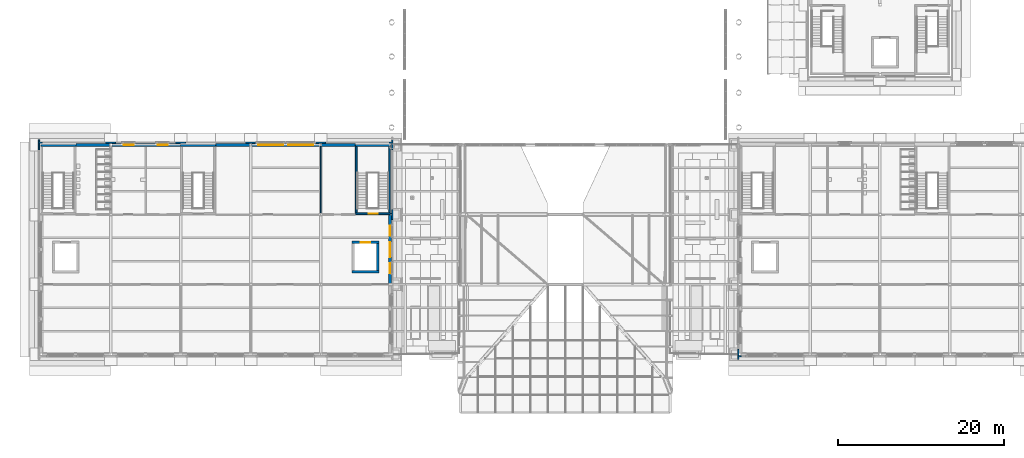
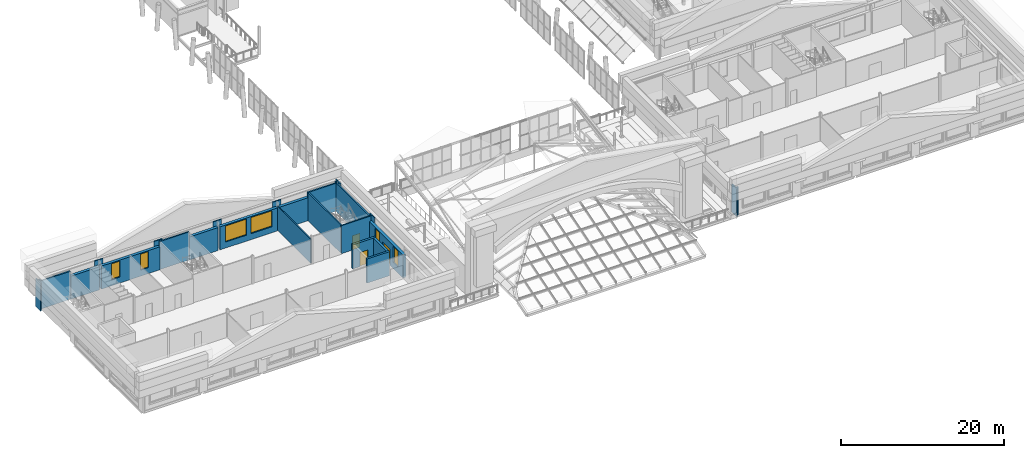
# One storey, part 42 of 76: 27 walls, 6 windows, 3 doors, 9 openings.
"""IFC4 building model written with IfcOpenShell, lengths in metres."""

from ifc_helpers import new_model, si_unit, direction, frame, frame_2d, origin, place, context, subcontext, project, spatial, rectangle, extrude, material, layer, layer_set, type_object, element, fill, save


model = new_model("IFC4")

# Units and contexts
model_context = context("Model", 3, precision=1e-05, world=origin(), true_north=direction((0.0, 1.0)))
body_context = subcontext(model_context, "Body", "Model", "MODEL_VIEW")
ifc_project = project(units=[si_unit("LENGTHUNIT", "METRE"), si_unit("AREAUNIT", "SQUARE_METRE"), si_unit("VOLUMEUNIT", "CUBIC_METRE"), si_unit("PLANEANGLEUNIT", "RADIAN"), si_unit("MASSUNIT", "GRAM", prefix="KILO")], contexts=[model_context])

# Site, building, storey
site_placement = place(None, origin())
site = spatial("IfcSite", under=ifc_project, at=site_placement, CompositionType="ELEMENT")
building_placement = place(site_placement, origin())
building = spatial("IfcBuilding", under=site, at=building_placement, Name="Sava Quay Ferry Terminal", CompositionType="ELEMENT")
storey_placement = place(building_placement, frame((0.0, 0.0, 10.800048828125)))
storey = spatial("IfcBuildingStorey", under=building, at=storey_placement, Name="L02", CompositionType="ELEMENT", Elevation=10.800048828125)

# Walls
ifc_material_1 = material(Name="Limestone Mutalj", Category="masonry")
ifc_layer_1 = layer(ifc_material_1, 0.14990234375)
ifc_layer_set_1 = layer_set([ifc_layer_1], Name="Limestone Mutalj")
wall_type_1 = type_object("IfcWallType", Name="Pier cladding 150", PredefinedType="SOLIDWALL", material=ifc_layer_set_1)
wall_1_placement = place(storey_placement, frame((-0.300048828125, 50.635009765625, 0.0), z_axis=(0.0, 0.0, 1.0), x_axis=(1.0, 0.0, 0.0)))
element("IfcWall", 1, at=wall_1_placement, inside=storey, type_object=wall_type_1, Name="Pier W-N grid 0", PredefinedType="SOLIDWALL", context=body_context, shape_type="SweptSolid", body=[
    extrude(rectangle(XDim=0.449951171875, YDim=0.14990234375, at=frame_2d((0.22509765625, 0.0))), origin(), (0.0, 0.0, 1.0), 4.199951171875),
])
for number, where, z_axis, x_axis, name in (
    (2, (7.800048828125, 50.635009765625, 0.0), (0.0, 0.0, 1.0), (1.0, 0.0, 0.0), "Pier W-N grid 8.4"),
    (3, (16.199951171875, 50.635009765625, 0.0), (0.0, 0.0, 1.0), (1.0, 0.0, 0.0), "Pier W-N grid 16.8"),
    (4, (24.60009765625, 50.635009765625, 0.0), (0.0, 0.0, 1.0), (1.0, 0.0, 0.0), "Pier W-N grid 25.2"),
    (5, (33.0, 50.635009765625, 0.0), (0.0, 0.0, 1.0), (1.0, 0.0, 0.0), "Pier W-N grid 33.6"),
):
    element("IfcWall", number, at=place(storey_placement, frame(where, z_axis=z_axis, x_axis=x_axis)), inside=storey, type_object=wall_type_1, Name=name, PredefinedType="SOLIDWALL", context=body_context, shape_type="SweptSolid", body=[
        extrude(rectangle(XDim=1.199951171875, YDim=0.14990234375, at=frame_2d((0.60009765625, 0.0))), origin(), (0.0, 0.0, 1.0), 4.199951171875),
    ])
wall_2_placement = place(storey_placement, frame((41.85009765625, 50.635009765625, 0.0), z_axis=(0.0, 0.0, 1.0), x_axis=(1.0, 0.0, 0.0)))
element("IfcWall", 6, at=wall_2_placement, inside=storey, type_object=wall_type_1, Name="Pier W-N grid 42", PredefinedType="SOLIDWALL", context=body_context, shape_type="SweptSolid", body=[
    extrude(rectangle(XDim=0.449951171875, YDim=0.14990234375, at=frame_2d((0.22509765625, 0.0))), origin(), (0.0, 0.0, 1.0), 4.199951171875),
])
wall_3_placement = place(storey_placement, frame((42.22509765625, 41.39990234375, 0.0), z_axis=(0.0, 0.0, 1.0), x_axis=(0.0, 1.0, 0.0)))
element("IfcWall", 7, at=wall_3_placement, inside=storey, type_object=wall_type_1, Name="Pier W-E grid 42", PredefinedType="SOLIDWALL", context=body_context, shape_type="SweptSolid", body=[
    extrude(rectangle(XDim=1.2001953125, YDim=0.14990234375, at=frame_2d((0.60009765625, 0.0))), origin(), (0.0, 0.0, 1.0), 4.199951171875),
])
for number, where, z_axis, x_axis, name in (
    (8, (42.22509765625, 49.800048828125, 0.0), (0.0, 0.0, 1.0), (0.0, 1.0, 0.0), "Pier W-E grid 50.4"),
    (9, (-0.22509765625, 49.800048828125, 0.0), (0.0, 0.0, 1.0), (0.0, 1.0, 0.0), "Pier W-W grid 50.4"),
):
    element("IfcWall", number, at=place(storey_placement, frame(where, z_axis=z_axis, x_axis=x_axis)), inside=storey, type_object=wall_type_1, Name=name, PredefinedType="SOLIDWALL", context=body_context, shape_type="SweptSolid", body=[
        extrude(rectangle(XDim=1.199951171875, YDim=0.14990234375, at=frame_2d((0.60009765625, 0.0))), origin(), (0.0, 0.0, 1.0), 4.199951171875),
    ])
wall_4_placement = place(storey_placement, frame((83.719970703125, 24.965087890625, 0.0), z_axis=(0.0, 0.0, 1.0), x_axis=(1.0, 0.0, 0.0)))
element("IfcWall", 10, at=wall_4_placement, inside=storey, type_object=wall_type_1, Name="Pier P-S grid 84", PredefinedType="SOLIDWALL", context=body_context, shape_type="SweptSolid", body=[
    extrude(rectangle(XDim=0.409912109375, YDim=0.14990234375, at=frame_2d((0.205078125, 0.0))), origin(), (0.0, 0.0, 1.0), 4.199951171875),
])
wall_5_placement = place(storey_placement, frame((83.77490234375, 24.60009765625, 0.0), z_axis=(0.0, 0.0, 1.0), x_axis=(0.0, 1.0, 0.0)))
element("IfcWall", 11, at=wall_5_placement, inside=storey, type_object=wall_type_1, Name="Pier P-W grid 25.2", PredefinedType="SOLIDWALL", context=body_context, shape_type="SweptSolid", body=[
    extrude(rectangle(XDim=1.199951171875, YDim=0.14990234375, at=frame_2d((0.60009765625, 0.0))), origin(), (0.0, 0.0, 1.0), 4.199951171875),
])
ifc_material_2 = material(Name="Concrete C35/45", Category="concrete")
ifc_layer_2 = layer(ifc_material_2, 0.199951171875)
ifc_layer_set_2 = layer_set([ifc_layer_2], Name="Concrete C35/45")
wall_type_2 = type_object("IfcWallType", Name="RC core wall 200", PredefinedType="SHEAR", material=ifc_layer_set_2)
wall_6_placement = place(storey_placement, frame((0.0, 50.300048828125, 0.0), z_axis=(0.0, 0.0, 1.0), x_axis=(1.0, 0.0, 0.0)))
element("IfcWall", 12, at=wall_6_placement, inside=storey, type_object=wall_type_2, Name="Core wall ST-W1 N L02", PredefinedType="SHEAR", context=body_context, shape_type="SweptSolid", body=[
    extrude(rectangle(XDim=4.199951171875, YDim=0.199951171875, at=frame_2d((2.10009765625, 0.0))), origin(), (0.0, 0.0, 1.0), 4.199951171875),
])

# Wall, opening, door
wall_7_placement = place(storey_placement, frame((37.800048828125, 42.10009765625, 0.0), z_axis=(0.0, 0.0, 1.0), x_axis=(1.0, 0.0, 0.0)))
wall_7 = element("IfcWall", 13, at=wall_7_placement, inside=storey, type_object=wall_type_2, Name="Core wall ST-W2 S L02", PredefinedType="SHEAR", context=body_context, shape_type="SweptSolid", body=[
    extrude(rectangle(XDim=4.199951171875, YDim=0.199951171875, at=frame_2d((2.10009765625, 0.0))), origin(), (0.0, 0.0, 1.0), 4.199951171875),
])
opening_1_placement = place(wall_7_placement, frame((1.60009765625, 0.0, 0.0)))
opening_1 = element("IfcOpeningElement", 14, at=opening_1_placement, cuts=wall_7, Name="Opening DS0203", PredefinedType="OPENING", context=body_context, shape_type="SweptSolid", body=[
    extrude(rectangle(XDim=1.10009765625, YDim=2.10009765625, at=frame_2d((0.550048828125, 1.050048828125))), frame((0.0, 0.10009765625, 0.0), z_axis=(0.0, -1.0, 0.0), x_axis=(1.0, 0.0, 0.0)), (0.0, 0.0, 1.0), 0.199951171875),
])
ifc_material_3 = material(Name="Steel fire door set", Category="steel")
door_type_1 = type_object("IfcDoorType", Name="Stair fire door 1100 x 2100", OperationType="NOTDEFINED", PredefinedType="DOOR", material=ifc_material_3)
door_1_placement = place(opening_1_placement, origin())
door_1 = element("IfcDoor", 15, at=door_1_placement, inside=storey, type_object=door_type_1, Name="Door DS0203", OperationType="SINGLE_SWING_RIGHT", OverallHeight=2.10009765625, OverallWidth=1.10009765625, PredefinedType="DOOR", context=body_context, shape_type="SweptSolid", body=[
    extrude(rectangle(XDim=1.10009765625, YDim=2.10009765625, at=frame_2d((0.550048828125, 1.050048828125))), frame((0.0, 0.02490234375, 0.0), z_axis=(0.0, -1.0, 0.0), x_axis=(1.0, 0.0, 0.0)), (0.0, 0.0, 1.0), 0.050048828125),
])
fill(opening_1, door_1)

# Walls
wall_8_placement = place(storey_placement, frame((37.800048828125, 50.300048828125, 0.0), z_axis=(0.0, 0.0, 1.0), x_axis=(1.0, 0.0, 0.0)))
element("IfcWall", 16, at=wall_8_placement, inside=storey, type_object=wall_type_2, Name="Core wall ST-W2 N L02", PredefinedType="SHEAR", context=body_context, shape_type="SweptSolid", body=[
    extrude(rectangle(XDim=4.199951171875, YDim=0.199951171875, at=frame_2d((2.10009765625, 0.0))), origin(), (0.0, 0.0, 1.0), 4.199951171875),
])
for number, where, z_axis, x_axis, name in (
    (17, (37.89990234375, 42.199951171875, 0.0), (0.0, 0.0, 1.0), (0.0, 1.0, 0.0), "Core wall ST-W2 W L02"),
    (18, (41.89990234375, 42.199951171875, 0.0), (0.0, 0.0, 1.0), (0.0, 1.0, 0.0), "Core wall ST-W2 E L02"),
):
    element("IfcWall", number, at=place(storey_placement, frame(where, z_axis=z_axis, x_axis=x_axis)), inside=storey, type_object=wall_type_2, Name=name, PredefinedType="SHEAR", context=body_context, shape_type="SweptSolid", body=[
        extrude(rectangle(XDim=8.0, YDim=0.199951171875, at=frame_2d((4.0, 0.0))), origin(), (0.0, 0.0, 1.0), 4.199951171875),
    ])
wall_9_placement = place(storey_placement, frame((16.800048828125, 50.300048828125, 0.0), z_axis=(0.0, 0.0, 1.0), x_axis=(1.0, 0.0, 0.0)))
element("IfcWall", 19, at=wall_9_placement, inside=storey, type_object=wall_type_2, Name="Core wall ST-W3 N L02", PredefinedType="SHEAR", context=body_context, shape_type="SweptSolid", body=[
    extrude(rectangle(XDim=4.199951171875, YDim=0.199951171875, at=frame_2d((2.10009765625, 0.0))), origin(), (0.0, 0.0, 1.0), 4.199951171875),
])
ifc_material_4 = material(Name="Concrete C35/45", Category="concrete")
ifc_layer_3 = layer(ifc_material_4, 0.300048828125)
ifc_layer_set_3 = layer_set([ifc_layer_3], Name="Concrete C35/45")
wall_type_3 = type_object("IfcWallType", Name="RC core wall 300", PredefinedType="SHEAR", material=ifc_layer_set_3)
wall_10_placement = place(storey_placement, frame((37.39990234375, 35.14990234375, 0.0), z_axis=(0.0, 0.0, 1.0), x_axis=(1.0, 0.0, 0.0)))
element("IfcWall", 20, at=wall_10_placement, inside=storey, type_object=wall_type_3, Name="Core wall LF-W2 S L02", PredefinedType="SHEAR", context=body_context, shape_type="SweptSolid", body=[
    extrude(rectangle(XDim=3.2001953125, YDim=0.300048828125, at=frame_2d((1.60009765625, 0.0))), origin(), (0.0, 0.0, 1.0), 3.599853515625),
])

# Wall, opening, door
wall_11_placement = place(storey_placement, frame((37.39990234375, 38.64990234375, 0.0), z_axis=(0.0, 0.0, 1.0), x_axis=(1.0, 0.0, 0.0)))
wall_11 = element("IfcWall", 21, at=wall_11_placement, inside=storey, type_object=wall_type_3, Name="Core wall LF-W2 N L02", PredefinedType="SHEAR", context=body_context, shape_type="SweptSolid", body=[
    extrude(rectangle(XDim=3.2001953125, YDim=0.300048828125, at=frame_2d((1.60009765625, 0.0))), origin(), (0.0, 0.0, 1.0), 3.599853515625),
])
opening_2_placement = place(wall_11_placement, frame((1.050048828125, 0.0, 0.0)))
opening_2 = element("IfcOpeningElement", 22, at=opening_2_placement, cuts=wall_11, Name="Opening LD0202", PredefinedType="OPENING", context=body_context, shape_type="SweptSolid", body=[
    extrude(rectangle(XDim=1.10009765625, YDim=2.10009765625, at=frame_2d((0.550048828125, 1.050048828125))), frame((0.0, 0.14990234375, 0.0), z_axis=(0.0, -1.0, 0.0), x_axis=(1.0, 0.0, 0.0)), (0.0, 0.0, 1.0), 0.300048828125),
])
ifc_material_5 = material(Name="Stainless steel", Category="steel")
door_type_2 = type_object("IfcDoorType", Name="Lift landing door 1100 x 2100", OperationType="NOTDEFINED", PredefinedType="DOOR", material=ifc_material_5)
door_2_placement = place(opening_2_placement, origin())
door_2 = element("IfcDoor", 23, at=door_2_placement, inside=storey, type_object=door_type_2, Name="Door LD0202", OperationType="SLIDING_TO_RIGHT", OverallHeight=2.10009765625, OverallWidth=1.10009765625, PredefinedType="DOOR", context=body_context, shape_type="SweptSolid", body=[
    extrude(rectangle(XDim=1.10009765625, YDim=2.10009765625, at=frame_2d((0.550048828125, 1.050048828125))), frame((0.0, 0.02490234375, 0.0), z_axis=(0.0, -1.0, 0.0), x_axis=(1.0, 0.0, 0.0)), (0.0, 0.0, 1.0), 0.050048828125),
])
fill(opening_2, door_2)

# Walls
wall_12_placement = place(storey_placement, frame((40.449951171875, 35.300048828125, 0.0), z_axis=(0.0, 0.0, 1.0), x_axis=(0.0, 1.0, 0.0)))
element("IfcWall", 24, at=wall_12_placement, inside=storey, type_object=wall_type_3, Name="Core wall LF-W2 E L02", PredefinedType="SHEAR", context=body_context, shape_type="SweptSolid", body=[
    extrude(rectangle(XDim=3.199951171875, YDim=0.300048828125, at=frame_2d((1.60009765625, 0.0))), origin(), (0.0, 0.0, 1.0), 3.599853515625),
])
ifc_material_6 = material(Name="Plasterboard on steel studs", Category="steel")
ifc_layer_4 = layer(ifc_material_6, 0.125)
ifc_layer_set_4 = layer_set([ifc_layer_4], Name="Plasterboard on steel studs")
wall_type_4 = type_object("IfcWallType", Name="Room partition, plasterboard on steel studs 125", PredefinedType="PARTITIONING", material=ifc_layer_set_4)
wall_13_placement = place(storey_placement, frame((33.60009765625, 42.1298828125, 0.0), z_axis=(0.0, 0.0, 1.0), x_axis=(0.0, 1.0, 0.0)))
element("IfcWall", 25, at=wall_13_placement, inside=storey, type_object=wall_type_4, Name="Room partition, plasterboard on steel studs 125", PredefinedType="PARTITIONING", context=body_context, shape_type="SweptSolid", body=[
    extrude(rectangle(XDim=8.14013671875, YDim=0.125, at=frame_2d((4.070068359375, 0.0))), origin(), (0.0, 0.0, 1.0), 3.599853515625),
])
ifc_material_7 = material(Name="Sandstone Bela Voda", Category="masonry")
ifc_layer_5 = layer(ifc_material_7, 0.39990234375)
ifc_layer_set_5 = layer_set([ifc_layer_5], Name="Sandstone Bela Voda")
wall_type_5 = type_object("IfcWallType", Name="Sandstone ashlar infill 400", PredefinedType="SOLIDWALL", material=ifc_layer_set_5)
wall_14_placement = place(storey_placement, frame((4.199951171875, 50.360107421875, 0.0), z_axis=(0.0, 0.0, 1.0), x_axis=(1.0, 0.0, 0.0)))
element("IfcWall", 26, at=wall_14_placement, inside=storey, type_object=wall_type_5, Name="External wall W-N", PredefinedType="SOLIDWALL", context=body_context, shape_type="SweptSolid", body=[
    extrude(rectangle(XDim=4.070068359375, YDim=0.39990234375, at=frame_2d((2.03515625, 0.0))), origin(), (0.0, 0.0, 1.0), 3.449951171875),
])

# Wall, openings, windows
wall_15_placement = place(storey_placement, frame((8.530029296875, 50.360107421875, 0.0), z_axis=(0.0, 0.0, 1.0), x_axis=(1.0, 0.0, 0.0)))
wall_15 = element("IfcWall", 27, at=wall_15_placement, inside=storey, type_object=wall_type_5, Name="External wall W-N", PredefinedType="SOLIDWALL", context=body_context, shape_type="SweptSolid", body=[
    extrude(rectangle(XDim=8.27001953125, YDim=0.39990234375, at=frame_2d((4.135009765625, 0.0))), origin(), (0.0, 0.0, 1.0), 3.449951171875),
])
opening_3_placement = place(wall_15_placement, frame((1.4326171875, 0.0, 0.89990234375)))
opening_3 = element("IfcOpeningElement", 28, at=opening_3_placement, cuts=wall_15, Name="Opening W-E2", PredefinedType="OPENING", context=body_context, shape_type="SweptSolid", body=[
    extrude(rectangle(XDim=1.199951171875, YDim=2.39990234375, at=frame_2d((0.60009765625, 1.199951171875))), frame((0.0, 0.199951171875, 0.0), z_axis=(0.0, -1.0, 0.0), x_axis=(1.0, 0.0, 0.0)), (0.0, 0.0, 1.0), 0.39990234375),
])
opening_4_placement = place(wall_15_placement, frame((5.507568359375, 0.0, 0.89990234375)))
opening_4 = element("IfcOpeningElement", 29, at=opening_4_placement, cuts=wall_15, Name="Opening W-E2", PredefinedType="OPENING", context=body_context, shape_type="SweptSolid", body=[
    extrude(rectangle(XDim=1.199951171875, YDim=2.39990234375, at=frame_2d((0.60009765625, 1.199951171875))), frame((0.0, 0.199951171875, 0.0), z_axis=(0.0, -1.0, 0.0), x_axis=(1.0, 0.0, 0.0)), (0.0, 0.0, 1.0), 0.39990234375),
])
ifc_material_8 = material(Name="Aluminium bronze anodised frame, glazing double low-e Ug 1.1", Category="aluminium")
window_type_1 = type_object("IfcWindowType", Name="Upper sidelight 1200x2400", PartitioningType="SINGLE_PANEL", PredefinedType="WINDOW", material=ifc_material_8)
window_1_placement = place(opening_3_placement, origin())
window_1 = element("IfcWindow", 30, at=window_1_placement, inside=storey, type_object=window_type_1, Name="Window W-E2", OverallHeight=2.39990234375, OverallWidth=1.199951171875, PartitioningType="SINGLE_PANEL", PredefinedType="WINDOW", context=body_context, shape_type="SweptSolid", body=[
    extrude(rectangle(XDim=1.199951171875, YDim=2.39990234375, at=frame_2d((0.60009765625, 1.199951171875))), frame((0.0, 0.030029296875, 0.0), z_axis=(0.0, -1.0, 0.0), x_axis=(1.0, 0.0, 0.0)), (0.0, 0.0, 1.0), 0.06005859375),
])
fill(opening_3, window_1)
window_2_placement = place(opening_4_placement, origin())
window_2 = element("IfcWindow", 31, at=window_2_placement, inside=storey, type_object=window_type_1, Name="Window W-E2", OverallHeight=2.39990234375, OverallWidth=1.199951171875, PartitioningType="SINGLE_PANEL", PredefinedType="WINDOW", context=body_context, shape_type="SweptSolid", body=[
    extrude(rectangle(XDim=1.199951171875, YDim=2.39990234375, at=frame_2d((0.60009765625, 1.199951171875))), frame((0.0, 0.030029296875, 0.0), z_axis=(0.0, -1.0, 0.0), x_axis=(1.0, 0.0, 0.0)), (0.0, 0.0, 1.0), 0.06005859375),
])
fill(opening_4, window_2)

# Wall
wall_16_placement = place(storey_placement, frame((21.0, 50.360107421875, 0.0), z_axis=(0.0, 0.0, 1.0), x_axis=(1.0, 0.0, 0.0)))
element("IfcWall", 32, at=wall_16_placement, inside=storey, type_object=wall_type_5, Name="External wall W-N", PredefinedType="SOLIDWALL", context=body_context, shape_type="SweptSolid", body=[
    extrude(rectangle(XDim=4.070068359375, YDim=0.39990234375, at=frame_2d((2.03515625, 0.0))), origin(), (0.0, 0.0, 1.0), 3.449951171875),
])

# Wall, openings, windows
wall_17_placement = place(storey_placement, frame((25.330078125, 50.360107421875, 0.0), z_axis=(0.0, 0.0, 1.0), x_axis=(1.0, 0.0, 0.0)))
wall_17 = element("IfcWall", 33, at=wall_17_placement, inside=storey, type_object=wall_type_5, Name="External wall W-N", PredefinedType="SOLIDWALL", context=body_context, shape_type="SweptSolid", body=[
    extrude(rectangle(XDim=8.139892578125, YDim=0.39990234375, at=frame_2d((4.06982421875, 0.0))), origin(), (0.0, 0.0, 1.0), 3.449951171875),
])
opening_5_placement = place(wall_17_placement, frame((0.77001953125, 0.0, 0.89990234375)))
opening_5 = element("IfcOpeningElement", 34, at=opening_5_placement, cuts=wall_17, Name="Opening W-C", PredefinedType="OPENING", context=body_context, shape_type="SweptSolid", body=[
    extrude(rectangle(XDim=3.0, YDim=2.39990234375, at=frame_2d((1.5, 1.199951171875))), frame((0.0, 0.199951171875, 0.0), z_axis=(0.0, -1.0, 0.0), x_axis=(1.0, 0.0, 0.0)), (0.0, 0.0, 1.0), 0.39990234375),
])
opening_6_placement = place(wall_17_placement, frame((4.3701171875, 0.0, 0.89990234375)))
opening_6 = element("IfcOpeningElement", 35, at=opening_6_placement, cuts=wall_17, Name="Opening W-C", PredefinedType="OPENING", context=body_context, shape_type="SweptSolid", body=[
    extrude(rectangle(XDim=3.0, YDim=2.39990234375, at=frame_2d((1.5, 1.199951171875))), frame((0.0, 0.199951171875, 0.0), z_axis=(0.0, -1.0, 0.0), x_axis=(1.0, 0.0, 0.0)), (0.0, 0.0, 1.0), 0.39990234375),
])
ifc_material_9 = material(Name="Aluminium bronze anodised frame, glazing double low-e Ug 1.1", Category="aluminium")
window_type_2 = type_object("IfcWindowType", Name="Attic-storey window 3000x2400", PartitioningType="SINGLE_PANEL", PredefinedType="WINDOW", material=ifc_material_9)
window_3_placement = place(opening_5_placement, origin())
window_3 = element("IfcWindow", 36, at=window_3_placement, inside=storey, type_object=window_type_2, Name="Window W-C", OverallHeight=2.39990234375, OverallWidth=3.0, PartitioningType="SINGLE_PANEL", PredefinedType="WINDOW", context=body_context, shape_type="SweptSolid", body=[
    extrude(rectangle(XDim=3.0, YDim=2.39990234375, at=frame_2d((1.5, 1.199951171875))), frame((0.0, 0.030029296875, 0.0), z_axis=(0.0, -1.0, 0.0), x_axis=(1.0, 0.0, 0.0)), (0.0, 0.0, 1.0), 0.06005859375),
])
fill(opening_5, window_3)
window_4_placement = place(opening_6_placement, origin())
window_4 = element("IfcWindow", 37, at=window_4_placement, inside=storey, type_object=window_type_2, Name="Window W-C", OverallHeight=2.39990234375, OverallWidth=3.0, PartitioningType="SINGLE_PANEL", PredefinedType="WINDOW", context=body_context, shape_type="SweptSolid", body=[
    extrude(rectangle(XDim=3.0, YDim=2.39990234375, at=frame_2d((1.5, 1.199951171875))), frame((0.0, 0.030029296875, 0.0), z_axis=(0.0, -1.0, 0.0), x_axis=(1.0, 0.0, 0.0)), (0.0, 0.0, 1.0), 0.06005859375),
])
fill(opening_6, window_4)

# Wall
wall_18_placement = place(storey_placement, frame((33.72998046875, 50.360107421875, 0.0), z_axis=(0.0, 0.0, 1.0), x_axis=(1.0, 0.0, 0.0)))
element("IfcWall", 38, at=wall_18_placement, inside=storey, type_object=wall_type_5, Name="External wall W-N", PredefinedType="SOLIDWALL", context=body_context, shape_type="SweptSolid", body=[
    extrude(rectangle(XDim=4.070068359375, YDim=0.39990234375, at=frame_2d((2.03515625, 0.0))), origin(), (0.0, 0.0, 1.0), 3.449951171875),
])

# Wall, openings, door, windows
wall_19_placement = place(storey_placement, frame((41.949951171875, 33.72998046875, 0.0), z_axis=(0.0, 0.0, 1.0), x_axis=(0.0, 1.0, 0.0)))
wall_19 = element("IfcWall", 39, at=wall_19_placement, inside=storey, type_object=wall_type_5, Name="External wall W-E", PredefinedType="SOLIDWALL", context=body_context, shape_type="SweptSolid", body=[
    extrude(rectangle(XDim=8.469970703125, YDim=0.39990234375, at=frame_2d((4.23486328125, 0.0))), origin(), (0.0, 0.0, 1.0), 3.449951171875),
])
opening_7_placement = place(wall_19_placement, frame((3.169921875, 0.0, 0.0)))
opening_7 = element("IfcOpeningElement", 40, at=opening_7_placement, cuts=wall_19, Name="Opening DTA3", PredefinedType="OPENING", context=body_context, shape_type="SweptSolid", body=[
    extrude(rectangle(XDim=1.800048828125, YDim=2.39990234375, at=frame_2d((0.89990234375, 1.199951171875))), frame((0.0, 0.199951171875, 0.0), z_axis=(0.0, -1.0, 0.0), x_axis=(1.0, 0.0, 0.0)), (0.0, 0.0, 1.0), 0.39990234375),
])
opening_8_placement = place(wall_19_placement, frame((1.219970703125, 0.0, 0.89990234375)))
opening_8 = element("IfcOpeningElement", 41, at=opening_8_placement, cuts=wall_19, Name="Opening W-E2", PredefinedType="OPENING", context=body_context, shape_type="SweptSolid", body=[
    extrude(rectangle(XDim=1.199951171875, YDim=2.39990234375, at=frame_2d((0.60009765625, 1.199951171875))), frame((0.0, 0.199951171875, 0.0), z_axis=(0.0, -1.0, 0.0), x_axis=(1.0, 0.0, 0.0)), (0.0, 0.0, 1.0), 0.39990234375),
])
opening_9_placement = place(wall_19_placement, frame((5.719970703125, 0.0, 0.89990234375)))
opening_9 = element("IfcOpeningElement", 42, at=opening_9_placement, cuts=wall_19, Name="Opening W-E2", PredefinedType="OPENING", context=body_context, shape_type="SweptSolid", body=[
    extrude(rectangle(XDim=1.199951171875, YDim=2.39990234375, at=frame_2d((0.60009765625, 1.199951171875))), frame((0.0, 0.199951171875, 0.0), z_axis=(0.0, -1.0, 0.0), x_axis=(1.0, 0.0, 0.0)), (0.0, 0.0, 1.0), 0.39990234375),
])
ifc_material_10 = material(Name="Aluminium bronze anodised, glazing safety laminated", Category="aluminium")
door_type_3 = type_object("IfcDoorType", Name="Exit double door 1800x2400", OperationType="DOUBLE_DOOR_SINGLE_SWING", PredefinedType="DOOR", material=ifc_material_10)
door_3_placement = place(opening_7_placement, origin())
door_3 = element("IfcDoor", 43, at=door_3_placement, inside=storey, type_object=door_type_3, Name="Door DTA3", OperationType="DOUBLE_DOOR_SINGLE_SWING", OverallHeight=2.39990234375, OverallWidth=1.800048828125, PredefinedType="DOOR", context=body_context, shape_type="SweptSolid", body=[
    extrude(rectangle(XDim=1.800048828125, YDim=2.39990234375, at=frame_2d((0.89990234375, 1.199951171875))), frame((0.0, 0.02490234375, 0.0), z_axis=(0.0, -1.0, 0.0), x_axis=(1.0, 0.0, 0.0)), (0.0, 0.0, 1.0), 0.050048828125),
])
fill(opening_7, door_3)
window_5_placement = place(opening_8_placement, origin())
window_5 = element("IfcWindow", 44, at=window_5_placement, inside=storey, type_object=window_type_1, Name="Window W-E2", OverallHeight=2.39990234375, OverallWidth=1.199951171875, PartitioningType="SINGLE_PANEL", PredefinedType="WINDOW", context=body_context, shape_type="SweptSolid", body=[
    extrude(rectangle(XDim=1.199951171875, YDim=2.39990234375, at=frame_2d((0.60009765625, 1.199951171875))), frame((0.0, 0.030029296875, 0.0), z_axis=(0.0, -1.0, 0.0), x_axis=(1.0, 0.0, 0.0)), (0.0, 0.0, 1.0), 0.06005859375),
])
fill(opening_8, window_5)
window_6_placement = place(opening_9_placement, origin())
window_6 = element("IfcWindow", 45, at=window_6_placement, inside=storey, type_object=window_type_1, Name="Window W-E2", OverallHeight=2.39990234375, OverallWidth=1.199951171875, PartitioningType="SINGLE_PANEL", PredefinedType="WINDOW", context=body_context, shape_type="SweptSolid", body=[
    extrude(rectangle(XDim=1.199951171875, YDim=2.39990234375, at=frame_2d((0.60009765625, 1.199951171875))), frame((0.0, 0.030029296875, 0.0), z_axis=(0.0, -1.0, 0.0), x_axis=(1.0, 0.0, 0.0)), (0.0, 0.0, 1.0), 0.06005859375),
])
fill(opening_9, window_6)

save(model, "model.ifc")
